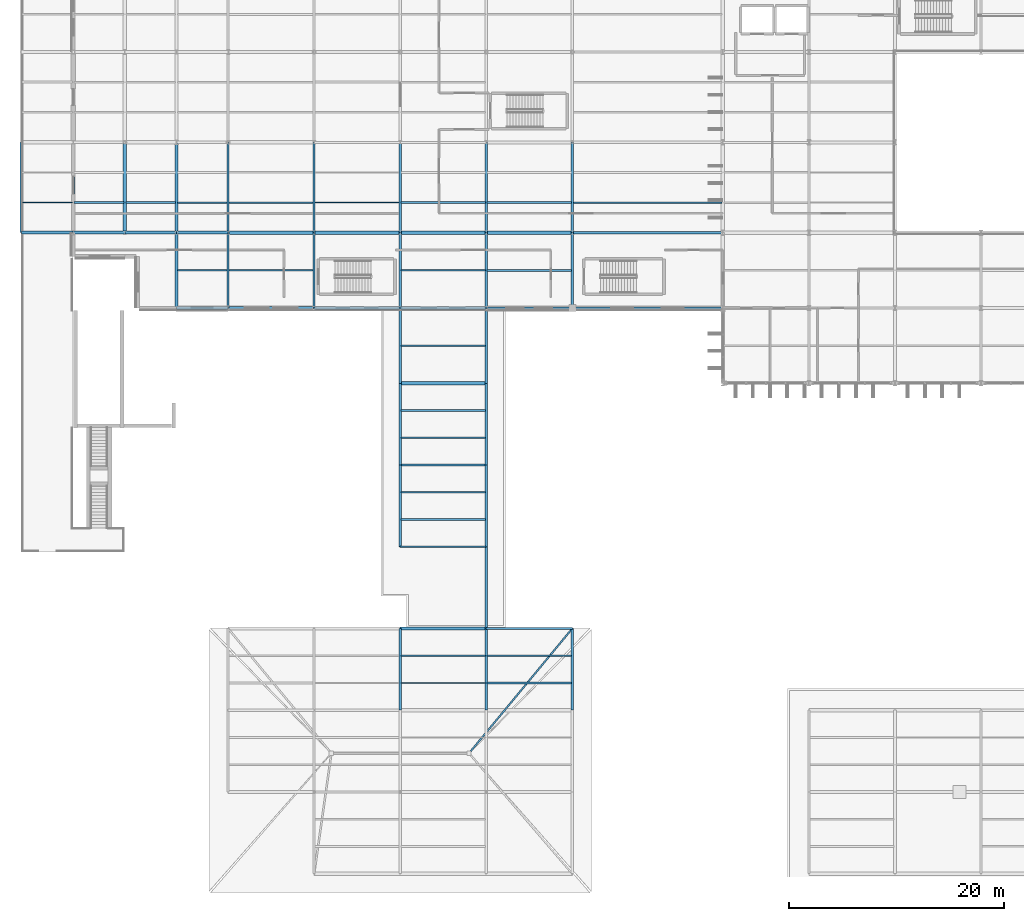
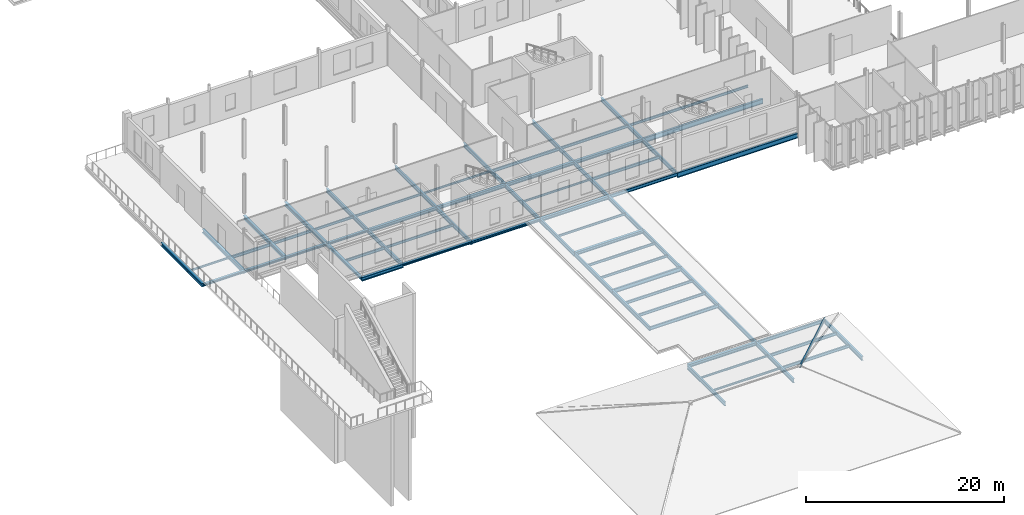
# One storey, part 20 of 120: 67 beams, 1 member.
"""IFC4 building model written with IfcOpenShell, lengths in metres."""

from ifc_helpers import new_model, si_unit, direction, frame, origin, origin_2d, place, context, subcontext, project, spatial, i_section, extrude, material, material_profile, profile_set, type_object, element, save


model = new_model("IFC4")

# Units and contexts
model_context = context("Model", 3, precision=1e-05, world=origin(), true_north=direction((0.0, 1.0)))
body_context = subcontext(model_context, "Body", "Model", "MODEL_VIEW")
ifc_project = project(units=[si_unit("LENGTHUNIT", "METRE"), si_unit("AREAUNIT", "SQUARE_METRE"), si_unit("VOLUMEUNIT", "CUBIC_METRE"), si_unit("PLANEANGLEUNIT", "RADIAN"), si_unit("MASSUNIT", "GRAM", prefix="KILO")], contexts=[model_context])

# Site, building, storey
site_placement = place(None, origin())
site = spatial("IfcSite", under=ifc_project, at=site_placement, CompositionType="ELEMENT")
building_placement = place(site_placement, origin())
building = spatial("IfcBuilding", under=site, at=building_placement, Name="Vekula Escarpment Museum", CompositionType="ELEMENT")
storey_placement = place(building_placement, frame((0.0, 0.0, 13.199951171875)))
storey = spatial("IfcBuildingStorey", under=building, at=storey_placement, Name="L03", CompositionType="ELEMENT", Elevation=13.199951171875)

# Beams
ifc_material_1 = material(Name="Steel S355", Category="steel")
ifc_material_profile_1 = material_profile(ifc_material_1, i_section(OverallWidth=0.280029296875, OverallDepth=0.280029296875, WebThickness=0.010498046875, FlangeThickness=0.01806640625, FilletRadius=0.02392578125, at=origin_2d()), Name="HEB 280")
ifc_profile_set_1 = profile_set([ifc_material_profile_1], Name="Steel S355")
beam_type_1 = type_object("IfcBeamType", Name="BM-GIRD-HEB280", PredefinedType="BEAM", material=ifc_profile_set_1)
beam_1_placement = place(storey_placement, frame((24.0, 52.60009765625, -0.389892578125), z_axis=(1.0, 0.0, 0.0), x_axis=(0.0, 1.0, 0.0)))
element("IfcBeam", 1, at=beam_1_placement, inside=storey, type_object=beam_type_1, Name="Beam X L03 1324", PredefinedType="BEAM", context=body_context, shape_type="SweptSolid", body=[
    extrude(i_section(OverallWidth=0.280029296875, OverallDepth=0.280029296875, WebThickness=0.010498046875, FlangeThickness=0.01806640625, FilletRadius=0.02392578125, at=origin_2d()), origin(), (0.0, 0.0, 1.0), 8.0),
])
ifc_material_2 = material(Name="Steel S355", Category="steel")
ifc_material_profile_2 = material_profile(ifc_material_2, i_section(OverallWidth=0.300048828125, OverallDepth=0.320068359375, WebThickness=0.011474609375, FlangeThickness=0.0205078125, FilletRadius=0.027099609375, at=origin_2d()), Name="HEB 320")
ifc_profile_set_2 = profile_set([ifc_material_profile_2], Name="Steel S355")
beam_type_2 = type_object("IfcBeamType", Name="BM-GIRD-HEB320", PredefinedType="BEAM", material=ifc_profile_set_2)
beam_2_placement = place(storey_placement, frame((32.0, 52.60009765625, -0.409912109375), z_axis=(1.0, 0.0, 0.0), x_axis=(0.0, 1.0, 0.0)))
element("IfcBeam", 2, at=beam_2_placement, inside=storey, type_object=beam_type_2, Name="Beam X L03 1325", PredefinedType="BEAM", context=body_context, shape_type="SweptSolid", body=[
    extrude(i_section(OverallWidth=0.300048828125, OverallDepth=0.320068359375, WebThickness=0.011474609375, FlangeThickness=0.0205078125, FilletRadius=0.027099609375, at=origin_2d()), origin(), (0.0, 0.0, 1.0), 8.0),
])
ifc_material_3 = material(Name="Steel S355", Category="steel")
ifc_material_profile_3 = material_profile(ifc_material_3, i_section(OverallWidth=0.300048828125, OverallDepth=0.39990234375, WebThickness=0.013427734375, FlangeThickness=0.02392578125, FilletRadius=0.027099609375, at=origin_2d()), Name="HEB 400")
ifc_profile_set_3 = profile_set([ifc_material_profile_3], Name="Steel S355")
beam_type_3 = type_object("IfcBeamType", Name="BM-GIRD-HEB400", PredefinedType="BEAM", material=ifc_profile_set_3)
for number, where, z_axis, x_axis, name in (
    (3, (40.0, 22.800048828125, -0.39990234375), (1.0, 0.0, 0.0), (0.0, 1.0, 0.0), "Beam X L03 1307"),
    (4, (40.0, 52.60009765625, -0.449951171875), (1.0, 0.0, 0.0), (0.0, 1.0, 0.0), "Beam X L03 1326"),
):
    element("IfcBeam", number, at=place(storey_placement, frame(where, z_axis=z_axis, x_axis=x_axis)), inside=storey, type_object=beam_type_3, Name=name, PredefinedType="BEAM", context=body_context, shape_type="SweptSolid", body=[
        extrude(i_section(OverallWidth=0.300048828125, OverallDepth=0.39990234375, WebThickness=0.013427734375, FlangeThickness=0.02392578125, FilletRadius=0.027099609375, at=origin_2d()), origin(), (0.0, 0.0, 1.0), 8.0),
    ])
ifc_material_4 = material(Name="Steel S355", Category="steel")
ifc_material_profile_4 = material_profile(ifc_material_4, i_section(OverallWidth=0.300048828125, OverallDepth=0.449951171875, WebThickness=0.013916015625, FlangeThickness=0.02587890625, FilletRadius=0.027099609375, at=origin_2d()), Name="HEB 450")
ifc_profile_set_4 = profile_set([ifc_material_profile_4], Name="Steel S355")
beam_type_4 = type_object("IfcBeamType", Name="BM-GIRD-HEB450", PredefinedType="BEAM", material=ifc_profile_set_4)
beam_3_placement = place(storey_placement, frame((19.199951171875, 52.60009765625, -0.474853515625), z_axis=(1.0, 0.0, 0.0), x_axis=(0.0, 1.0, 0.0)))
element("IfcBeam", 5, at=beam_3_placement, inside=storey, type_object=beam_type_4, Name="Beam X L03 1323", PredefinedType="BEAM", context=body_context, shape_type="SweptSolid", body=[
    extrude(i_section(OverallWidth=0.300048828125, OverallDepth=0.449951171875, WebThickness=0.013916015625, FlangeThickness=0.02587890625, FilletRadius=0.027099609375, at=origin_2d()), origin(), (0.0, 0.0, 1.0), 4.800048828125),
])
ifc_material_5 = material(Name="Steel S355", Category="steel")
ifc_material_profile_5 = material_profile(ifc_material_5, i_section(OverallWidth=0.179931640625, OverallDepth=0.39990234375, WebThickness=0.008544921875, FlangeThickness=0.013427734375, FilletRadius=0.02099609375, at=origin_2d()), Name="IPE 400")
ifc_profile_set_5 = profile_set([ifc_material_profile_5], Name="Steel S355")
beam_type_5 = type_object("IfcBeamType", Name="BM-GIRD-IPE400", PredefinedType="BEAM", material=ifc_profile_set_5)
for number, where, z_axis, x_axis, name in (
    (6, (48.0, 22.800048828125, -0.39990234375), (1.0, 0.0, 0.0), (0.0, 1.0, 0.0), "Beam X L03 1308"),
    (7, (40.0, 30.39990234375, -0.39990234375), (1.0, 0.0, 0.0), (0.0, 1.0, 0.0), "Beam X L03 1310"),
    (8, (48.0, 52.60009765625, -0.449951171875), (1.0, 0.0, 0.0), (0.0, 1.0, 0.0), "Beam X L03 1327"),
):
    element("IfcBeam", number, at=place(storey_placement, frame(where, z_axis=z_axis, x_axis=x_axis)), inside=storey, type_object=beam_type_5, Name=name, PredefinedType="BEAM", context=body_context, shape_type="SweptSolid", body=[
        extrude(i_section(OverallWidth=0.179931640625, OverallDepth=0.39990234375, WebThickness=0.008544921875, FlangeThickness=0.013427734375, FilletRadius=0.02099609375, at=origin_2d()), origin(), (0.0, 0.0, 1.0), 8.0),
    ])
ifc_material_6 = material(Name="Steel S355", Category="steel")
ifc_material_profile_6 = material_profile(ifc_material_6, i_section(OverallWidth=0.199951171875, OverallDepth=0.5, WebThickness=0.01025390625, FlangeThickness=0.01611328125, FilletRadius=0.02099609375, at=origin_2d()), Name="IPE 500")
ifc_profile_set_6 = profile_set([ifc_material_profile_6], Name="Steel S355")
beam_type_6 = type_object("IfcBeamType", Name="BM-GIRD-IPE500", PredefinedType="BEAM", material=ifc_profile_set_6)
beam_4_placement = place(storey_placement, frame((40.0, 38.0, -0.449951171875), z_axis=(1.0, 0.0, 0.0), x_axis=(0.0, 1.0, 0.0)))
element("IfcBeam", 9, at=beam_4_placement, inside=storey, type_object=beam_type_6, Name="Beam X L03 1312", PredefinedType="BEAM", context=body_context, shape_type="SweptSolid", body=[
    extrude(i_section(OverallWidth=0.199951171875, OverallDepth=0.5, WebThickness=0.01025390625, FlangeThickness=0.01611328125, FilletRadius=0.02099609375, at=origin_2d()), origin(), (0.0, 0.0, 1.0), 8.0),
])
beam_5_placement = place(storey_placement, frame((24.0, 52.60009765625, -0.5), z_axis=(0.0, 1.0, 0.0), x_axis=(-1.0, 0.0, 0.0)))
element("IfcBeam", 10, at=beam_5_placement, inside=storey, type_object=beam_type_6, Name="Beam Y L03 1495", PredefinedType="BEAM", context=body_context, shape_type="SweptSolid", body=[
    extrude(i_section(OverallWidth=0.199951171875, OverallDepth=0.5, WebThickness=0.01025390625, FlangeThickness=0.01611328125, FilletRadius=0.02099609375, at=origin_2d()), origin(), (0.0, 0.0, 1.0), 7.0),
])
beam_6_placement = place(storey_placement, frame((24.0, 59.60009765625, -0.5), z_axis=(0.0, 1.0, 0.0), x_axis=(-1.0, 0.0, 0.0)))
element("IfcBeam", 11, at=beam_6_placement, inside=storey, type_object=beam_type_6, Name="Beam Y L03 1496", PredefinedType="BEAM", context=body_context, shape_type="SweptSolid", body=[
    extrude(i_section(OverallWidth=0.199951171875, OverallDepth=0.5, WebThickness=0.01025390625, FlangeThickness=0.01611328125, FilletRadius=0.02099609375, at=origin_2d()), origin(), (0.0, 0.0, 1.0), 8.39990234375),
])
beam_7_placement = place(storey_placement, frame((32.0, 52.60009765625, -0.5), z_axis=(0.0, 1.0, 0.0), x_axis=(-1.0, 0.0, 0.0)))
element("IfcBeam", 12, at=beam_7_placement, inside=storey, type_object=beam_type_6, Name="Beam Y L03 1505", PredefinedType="BEAM", context=body_context, shape_type="SweptSolid", body=[
    extrude(i_section(OverallWidth=0.199951171875, OverallDepth=0.5, WebThickness=0.01025390625, FlangeThickness=0.01611328125, FilletRadius=0.02099609375, at=origin_2d()), origin(), (0.0, 0.0, 1.0), 7.0),
])
beam_8_placement = place(storey_placement, frame((32.0, 59.60009765625, -0.5), z_axis=(0.0, 1.0, 0.0), x_axis=(-1.0, 0.0, 0.0)))
element("IfcBeam", 13, at=beam_8_placement, inside=storey, type_object=beam_type_6, Name="Beam Y L03 1506", PredefinedType="BEAM", context=body_context, shape_type="SweptSolid", body=[
    extrude(i_section(OverallWidth=0.199951171875, OverallDepth=0.5, WebThickness=0.01025390625, FlangeThickness=0.01611328125, FilletRadius=0.02099609375, at=origin_2d()), origin(), (0.0, 0.0, 1.0), 8.39990234375),
])
for number, where, z_axis, x_axis, name in (
    (14, (40.0, 15.199951171875, -0.5), (0.0, 1.0, 0.0), (-1.0, 0.0, 0.0), "Beam Y L03 1514"),
    (15, (40.0, 30.39990234375, -0.449951171875), (0.0, 1.0, 0.0), (-1.0, 0.0, 0.0), "Beam Y L03 1515"),
    (16, (40.0, 38.0, -0.449951171875), (0.0, 1.0, 0.0), (-1.0, 0.0, 0.0), "Beam Y L03 1516"),
):
    element("IfcBeam", number, at=place(storey_placement, frame(where, z_axis=z_axis, x_axis=x_axis)), inside=storey, type_object=beam_type_6, Name=name, PredefinedType="BEAM", context=body_context, shape_type="SweptSolid", body=[
        extrude(i_section(OverallWidth=0.199951171875, OverallDepth=0.5, WebThickness=0.01025390625, FlangeThickness=0.01611328125, FilletRadius=0.02099609375, at=origin_2d()), origin(), (0.0, 0.0, 1.0), 7.60009765625),
    ])
for number, where, z_axis, x_axis, name in (
    (17, (40.0, 45.60009765625, -0.5), (0.0, 1.0, 0.0), (-1.0, 0.0, 0.0), "Beam Y L03 1517"),
    (18, (40.0, 52.60009765625, -0.5), (0.0, 1.0, 0.0), (-1.0, 0.0, 0.0), "Beam Y L03 1518"),
):
    element("IfcBeam", number, at=place(storey_placement, frame(where, z_axis=z_axis, x_axis=x_axis)), inside=storey, type_object=beam_type_6, Name=name, PredefinedType="BEAM", context=body_context, shape_type="SweptSolid", body=[
        extrude(i_section(OverallWidth=0.199951171875, OverallDepth=0.5, WebThickness=0.01025390625, FlangeThickness=0.01611328125, FilletRadius=0.02099609375, at=origin_2d()), origin(), (0.0, 0.0, 1.0), 7.0),
    ])
beam_9_placement = place(storey_placement, frame((40.0, 59.60009765625, -0.5), z_axis=(0.0, 1.0, 0.0), x_axis=(-1.0, 0.0, 0.0)))
element("IfcBeam", 19, at=beam_9_placement, inside=storey, type_object=beam_type_6, Name="Beam Y L03 1519", PredefinedType="BEAM", context=body_context, shape_type="SweptSolid", body=[
    extrude(i_section(OverallWidth=0.199951171875, OverallDepth=0.5, WebThickness=0.01025390625, FlangeThickness=0.01611328125, FilletRadius=0.02099609375, at=origin_2d()), origin(), (0.0, 0.0, 1.0), 8.39990234375),
])
beam_10_placement = place(storey_placement, frame((48.0, 15.199951171875, -0.449951171875), z_axis=(0.0, 1.0, 0.0), x_axis=(-1.0, 0.0, 0.0)))
element("IfcBeam", 20, at=beam_10_placement, inside=storey, type_object=beam_type_6, Name="Beam Y L03 1531", PredefinedType="BEAM", context=body_context, shape_type="SweptSolid", body=[
    extrude(i_section(OverallWidth=0.199951171875, OverallDepth=0.5, WebThickness=0.01025390625, FlangeThickness=0.01611328125, FilletRadius=0.02099609375, at=origin_2d()), origin(), (0.0, 0.0, 1.0), 7.60009765625),
])
beam_11_placement = place(storey_placement, frame((48.0, 22.800048828125, -0.449951171875), z_axis=(0.0, 1.0, 0.0), x_axis=(-1.0, 0.0, 0.0)))
element("IfcBeam", 21, at=beam_11_placement, inside=storey, type_object=beam_type_6, Name="Beam Y L03 1532", PredefinedType="BEAM", context=body_context, shape_type="SweptSolid", body=[
    extrude(i_section(OverallWidth=0.199951171875, OverallDepth=0.5, WebThickness=0.01025390625, FlangeThickness=0.01611328125, FilletRadius=0.02099609375, at=origin_2d()), origin(), (0.0, 0.0, 1.0), 7.599853515625),
])
for number, where, z_axis, x_axis, name in (
    (22, (48.0, 30.39990234375, -0.449951171875), (0.0, 1.0, 0.0), (-1.0, 0.0, 0.0), "Beam Y L03 1533"),
    (23, (48.0, 38.0, -0.449951171875), (0.0, 1.0, 0.0), (-1.0, 0.0, 0.0), "Beam Y L03 1534"),
):
    element("IfcBeam", number, at=place(storey_placement, frame(where, z_axis=z_axis, x_axis=x_axis)), inside=storey, type_object=beam_type_6, Name=name, PredefinedType="BEAM", context=body_context, shape_type="SweptSolid", body=[
        extrude(i_section(OverallWidth=0.199951171875, OverallDepth=0.5, WebThickness=0.01025390625, FlangeThickness=0.01611328125, FilletRadius=0.02099609375, at=origin_2d()), origin(), (0.0, 0.0, 1.0), 7.60009765625),
    ])
for number, where, z_axis, x_axis, name in (
    (24, (48.0, 45.60009765625, -0.5), (0.0, 1.0, 0.0), (-1.0, 0.0, 0.0), "Beam Y L03 1535"),
    (25, (48.0, 52.60009765625, -0.5), (0.0, 1.0, 0.0), (-1.0, 0.0, 0.0), "Beam Y L03 1536"),
):
    element("IfcBeam", number, at=place(storey_placement, frame(where, z_axis=z_axis, x_axis=x_axis)), inside=storey, type_object=beam_type_6, Name=name, PredefinedType="BEAM", context=body_context, shape_type="SweptSolid", body=[
        extrude(i_section(OverallWidth=0.199951171875, OverallDepth=0.5, WebThickness=0.01025390625, FlangeThickness=0.01611328125, FilletRadius=0.02099609375, at=origin_2d()), origin(), (0.0, 0.0, 1.0), 7.0),
    ])
beam_12_placement = place(storey_placement, frame((48.0, 59.60009765625, -0.5), z_axis=(0.0, 1.0, 0.0), x_axis=(-1.0, 0.0, 0.0)))
element("IfcBeam", 26, at=beam_12_placement, inside=storey, type_object=beam_type_6, Name="Beam Y L03 1537", PredefinedType="BEAM", context=body_context, shape_type="SweptSolid", body=[
    extrude(i_section(OverallWidth=0.199951171875, OverallDepth=0.5, WebThickness=0.01025390625, FlangeThickness=0.01611328125, FilletRadius=0.02099609375, at=origin_2d()), origin(), (0.0, 0.0, 1.0), 8.39990234375),
])
beam_13_placement = place(storey_placement, frame((56.0, 15.199951171875, -0.5), z_axis=(0.0, 1.0, 0.0), x_axis=(-1.0, 0.0, 0.0)))
element("IfcBeam", 27, at=beam_13_placement, inside=storey, type_object=beam_type_6, Name="Beam Y L03 1549", PredefinedType="BEAM", context=body_context, shape_type="SweptSolid", body=[
    extrude(i_section(OverallWidth=0.199951171875, OverallDepth=0.5, WebThickness=0.01025390625, FlangeThickness=0.01611328125, FilletRadius=0.02099609375, at=origin_2d()), origin(), (0.0, 0.0, 1.0), 7.60009765625),
])
beam_14_placement = place(storey_placement, frame((56.0, 52.60009765625, -0.5), z_axis=(0.0, 1.0, 0.0), x_axis=(-1.0, 0.0, 0.0)))
element("IfcBeam", 28, at=beam_14_placement, inside=storey, type_object=beam_type_6, Name="Beam Y L03 1550", PredefinedType="BEAM", context=body_context, shape_type="SweptSolid", body=[
    extrude(i_section(OverallWidth=0.199951171875, OverallDepth=0.5, WebThickness=0.01025390625, FlangeThickness=0.01611328125, FilletRadius=0.02099609375, at=origin_2d()), origin(), (0.0, 0.0, 1.0), 7.0),
])
beam_15_placement = place(storey_placement, frame((56.0, 59.60009765625, -0.5), z_axis=(0.0, 1.0, 0.0), x_axis=(-1.0, 0.0, 0.0)))
element("IfcBeam", 29, at=beam_15_placement, inside=storey, type_object=beam_type_6, Name="Beam Y L03 1551", PredefinedType="BEAM", context=body_context, shape_type="SweptSolid", body=[
    extrude(i_section(OverallWidth=0.199951171875, OverallDepth=0.5, WebThickness=0.01025390625, FlangeThickness=0.01611328125, FilletRadius=0.02099609375, at=origin_2d()), origin(), (0.0, 0.0, 1.0), 8.39990234375),
])
ifc_material_7 = material(Name="Steel S355", Category="steel")
ifc_material_profile_7 = material_profile(ifc_material_7, i_section(OverallWidth=0.219970703125, OverallDepth=0.60009765625, WebThickness=0.011962890625, FlangeThickness=0.01904296875, FilletRadius=0.02392578125, at=origin_2d()), Name="IPE 600")
ifc_profile_set_7 = profile_set([ifc_material_profile_7], Name="Steel S355")
beam_type_7 = type_object("IfcBeamType", Name="BM-GIRD-IPE600", PredefinedType="BEAM", material=ifc_profile_set_7)
for number, where, z_axis, x_axis, name in (
    (30, (56.0, 52.60009765625, -0.550048828125), (1.0, 0.0, 0.0), (0.0, 1.0, 0.0), "Beam X L03 1328"),
    (31, (56.0, 59.60009765625, -0.550048828125), (1.0, 0.0, 0.0), (0.0, 1.0, 0.0), "Beam X L03 1346"),
):
    element("IfcBeam", number, at=place(storey_placement, frame(where, z_axis=z_axis, x_axis=x_axis)), inside=storey, type_object=beam_type_7, Name=name, PredefinedType="BEAM", context=body_context, shape_type="SweptSolid", body=[
        extrude(i_section(OverallWidth=0.219970703125, OverallDepth=0.60009765625, WebThickness=0.011962890625, FlangeThickness=0.01904296875, FilletRadius=0.02392578125, at=origin_2d()), origin(), (0.0, 0.0, 1.0), 14.0),
    ])
ifc_material_8 = material(Name="Steel S355", Category="steel")
ifc_material_profile_8 = material_profile(ifc_material_8, i_section(OverallWidth=0.1201171875, OverallDepth=0.239990234375, WebThickness=0.006103515625, FlangeThickness=0.009765625, FilletRadius=0.014892578125, at=origin_2d()), Name="IPE 240")
ifc_profile_set_8 = profile_set([ifc_material_profile_8], Name="Steel S355")
beam_type_8 = type_object("IfcBeamType", Name="BM-JST-IPE240", PredefinedType="JOIST", material=ifc_profile_set_8)
beam_16_placement = place(storey_placement, frame((4.889892578125, 62.39990234375, -0.369873046875), z_axis=(1.0, 0.0, 0.0), x_axis=(0.0, 1.0, 0.0)))
element("IfcBeam", 32, at=beam_16_placement, inside=storey, type_object=beam_type_8, Name="Secondary Joist L03 0886", PredefinedType="JOIST", context=body_context, shape_type="SweptSolid", body=[
    extrude(i_section(OverallWidth=0.1201171875, OverallDepth=0.239990234375, WebThickness=0.006103515625, FlangeThickness=0.009765625, FilletRadius=0.014892578125, at=origin_2d()), origin(), (0.0, 0.0, 1.0), 4.6201171875),
])
for number, where, z_axis, x_axis, name in (
    (33, (32.090087890625, 62.39990234375, -0.369873046875), (1.0, 0.0, 0.0), (0.0, 1.0, 0.0), "Secondary Joist L03 0935"),
    (34, (40.090087890625, 17.7333984375, -0.369873046875), (1.0, 0.0, 0.0), (0.0, 1.0, 0.0), "Secondary Joist L03 0948"),
    (35, (40.090087890625, 20.2666015625, -0.369873046875), (1.0, 0.0, 0.0), (0.0, 1.0, 0.0), "Secondary Joist L03 0949"),
    (36, (40.090087890625, 56.10009765625, -0.369873046875), (1.0, 0.0, 0.0), (0.0, 1.0, 0.0), "Secondary Joist L03 0955"),
):
    element("IfcBeam", number, at=place(storey_placement, frame(where, z_axis=z_axis, x_axis=x_axis)), inside=storey, type_object=beam_type_8, Name=name, PredefinedType="JOIST", context=body_context, shape_type="SweptSolid", body=[
        extrude(i_section(OverallWidth=0.1201171875, OverallDepth=0.239990234375, WebThickness=0.006103515625, FlangeThickness=0.009765625, FilletRadius=0.014892578125, at=origin_2d()), origin(), (0.0, 0.0, 1.0), 7.81982421875),
    ])
ifc_material_9 = material(Name="Steel S355", Category="steel")
ifc_material_profile_9 = material_profile(ifc_material_9, i_section(OverallWidth=0.135009765625, OverallDepth=0.27001953125, WebThickness=0.006591796875, FlangeThickness=0.01025390625, FilletRadius=0.014892578125, at=origin_2d()), Name="IPE 270")
ifc_profile_set_9 = profile_set([ifc_material_profile_9], Name="Steel S355")
beam_type_9 = type_object("IfcBeamType", Name="BM-JST-IPE270", PredefinedType="JOIST", material=ifc_profile_set_9)
for number, where, z_axis, x_axis, name in (
    (37, (24.090087890625, 62.39990234375, -0.385009765625), (1.0, 0.0, 0.0), (0.0, 1.0, 0.0), "Secondary Joist L03 0920"),
    (38, (40.090087890625, 49.10009765625, -0.385009765625), (1.0, 0.0, 0.0), (0.0, 1.0, 0.0), "Secondary Joist L03 0954"),
):
    element("IfcBeam", number, at=place(storey_placement, frame(where, z_axis=z_axis, x_axis=x_axis)), inside=storey, type_object=beam_type_9, Name=name, PredefinedType="JOIST", context=body_context, shape_type="SweptSolid", body=[
        extrude(i_section(OverallWidth=0.135009765625, OverallDepth=0.27001953125, WebThickness=0.006591796875, FlangeThickness=0.01025390625, FilletRadius=0.014892578125, at=origin_2d()), origin(), (0.0, 0.0, 1.0), 7.81982421875),
    ])
ifc_material_10 = material(Name="Steel S355", Category="steel")
ifc_material_profile_10 = material_profile(ifc_material_10, i_section(OverallWidth=0.14990234375, OverallDepth=0.300048828125, WebThickness=0.007080078125, FlangeThickness=0.0107421875, FilletRadius=0.014892578125, at=origin_2d()), Name="IPE 300")
ifc_profile_set_10 = profile_set([ifc_material_profile_10], Name="Steel S355")
beam_type_10 = type_object("IfcBeamType", Name="BM-JST-IPE300", PredefinedType="JOIST", material=ifc_profile_set_10)
beam_17_placement = place(storey_placement, frame((19.2900390625, 62.39990234375, -0.39990234375), z_axis=(1.0, 0.0, 0.0), x_axis=(0.0, 1.0, 0.0)))
element("IfcBeam", 39, at=beam_17_placement, inside=storey, type_object=beam_type_10, Name="Secondary Joist L03 0906", PredefinedType="JOIST", context=body_context, shape_type="SweptSolid", body=[
    extrude(i_section(OverallWidth=0.14990234375, OverallDepth=0.300048828125, WebThickness=0.007080078125, FlangeThickness=0.0107421875, FilletRadius=0.014892578125, at=origin_2d()), origin(), (0.0, 0.0, 1.0), 4.619873046875),
])
for number, where, z_axis, x_axis, name in (
    (40, (24.090087890625, 56.10009765625, -0.39990234375), (1.0, 0.0, 0.0), (0.0, 1.0, 0.0), "Secondary Joist L03 0919"),
    (41, (40.090087890625, 40.533203125, -0.349853515625), (1.0, 0.0, 0.0), (0.0, 1.0, 0.0), "Secondary Joist L03 0952"),
    (42, (40.090087890625, 43.066650390625, -0.349853515625), (1.0, 0.0, 0.0), (0.0, 1.0, 0.0), "Secondary Joist L03 0953"),
):
    element("IfcBeam", number, at=place(storey_placement, frame(where, z_axis=z_axis, x_axis=x_axis)), inside=storey, type_object=beam_type_10, Name=name, PredefinedType="JOIST", context=body_context, shape_type="SweptSolid", body=[
        extrude(i_section(OverallWidth=0.14990234375, OverallDepth=0.300048828125, WebThickness=0.007080078125, FlangeThickness=0.0107421875, FilletRadius=0.014892578125, at=origin_2d()), origin(), (0.0, 0.0, 1.0), 7.81982421875),
    ])
beam_18_placement = place(storey_placement, frame((56.090087890625, 62.39990234375, -0.39990234375), z_axis=(1.0, 0.0, 0.0), x_axis=(0.0, 1.0, 0.0)))
element("IfcBeam", 43, at=beam_18_placement, inside=storey, type_object=beam_type_10, Name="Secondary Joist L03 0986", PredefinedType="JOIST", context=body_context, shape_type="SweptSolid", body=[
    extrude(i_section(OverallWidth=0.14990234375, OverallDepth=0.300048828125, WebThickness=0.007080078125, FlangeThickness=0.0107421875, FilletRadius=0.014892578125, at=origin_2d()), origin(), (0.0, 0.0, 1.0), 13.81982421875),
])
ifc_material_11 = material(Name="Steel S355", Category="steel")
ifc_material_profile_11 = material_profile(ifc_material_11, i_section(OverallWidth=0.159912109375, OverallDepth=0.330078125, WebThickness=0.007568359375, FlangeThickness=0.011474609375, FilletRadius=0.01806640625, at=origin_2d()), Name="IPE 330")
ifc_profile_set_11 = profile_set([ifc_material_profile_11], Name="Steel S355")
beam_type_11 = type_object("IfcBeamType", Name="BM-JST-IPE330", PredefinedType="JOIST", material=ifc_profile_set_11)
beam_19_placement = place(storey_placement, frame((14.489990234375, 62.39990234375, -0.4150390625), z_axis=(1.0, 0.0, 0.0), x_axis=(0.0, 1.0, 0.0)))
element("IfcBeam", 44, at=beam_19_placement, inside=storey, type_object=beam_type_11, Name="Secondary Joist L03 0896", PredefinedType="JOIST", context=body_context, shape_type="SweptSolid", body=[
    extrude(i_section(OverallWidth=0.159912109375, OverallDepth=0.330078125, WebThickness=0.007568359375, FlangeThickness=0.011474609375, FilletRadius=0.01806640625, at=origin_2d()), origin(), (0.0, 0.0, 1.0), 4.6201171875),
])
beam_20_placement = place(storey_placement, frame((19.2900390625, 56.10009765625, -0.4150390625), z_axis=(1.0, 0.0, 0.0), x_axis=(0.0, 1.0, 0.0)))
element("IfcBeam", 45, at=beam_20_placement, inside=storey, type_object=beam_type_11, Name="Secondary Joist L03 0905", PredefinedType="JOIST", context=body_context, shape_type="SweptSolid", body=[
    extrude(i_section(OverallWidth=0.159912109375, OverallDepth=0.330078125, WebThickness=0.007568359375, FlangeThickness=0.011474609375, FilletRadius=0.01806640625, at=origin_2d()), origin(), (0.0, 0.0, 1.0), 4.619873046875),
])
for number, where, z_axis, x_axis, name in (
    (46, (40.090087890625, 32.933349609375, -0.364990234375), (1.0, 0.0, 0.0), (0.0, 1.0, 0.0), "Secondary Joist L03 0950"),
    (47, (40.090087890625, 35.466796875, -0.364990234375), (1.0, 0.0, 0.0), (0.0, 1.0, 0.0), "Secondary Joist L03 0951"),
    (48, (48.090087890625, 62.39990234375, -0.4150390625), (1.0, 0.0, 0.0), (0.0, 1.0, 0.0), "Secondary Joist L03 0979"),
):
    element("IfcBeam", number, at=place(storey_placement, frame(where, z_axis=z_axis, x_axis=x_axis)), inside=storey, type_object=beam_type_11, Name=name, PredefinedType="JOIST", context=body_context, shape_type="SweptSolid", body=[
        extrude(i_section(OverallWidth=0.159912109375, OverallDepth=0.330078125, WebThickness=0.007568359375, FlangeThickness=0.011474609375, FilletRadius=0.01806640625, at=origin_2d()), origin(), (0.0, 0.0, 1.0), 7.81982421875),
    ])
ifc_material_12 = material(Name="Steel S355", Category="steel")
ifc_material_profile_12 = material_profile(ifc_material_12, i_section(OverallWidth=0.169921875, OverallDepth=0.360107421875, WebThickness=0.008056640625, FlangeThickness=0.0126953125, FilletRadius=0.01806640625, at=origin_2d()), Name="IPE 360")
ifc_profile_set_12 = profile_set([ifc_material_profile_12], Name="Steel S355")
beam_type_12 = type_object("IfcBeamType", Name="BM-JST-IPE360", PredefinedType="JOIST", material=ifc_profile_set_12)
beam_21_placement = place(storey_placement, frame((9.68994140625, 62.39990234375, -0.429931640625), z_axis=(1.0, 0.0, 0.0), x_axis=(0.0, 1.0, 0.0)))
element("IfcBeam", 49, at=beam_21_placement, inside=storey, type_object=beam_type_12, Name="Secondary Joist L03 0891", PredefinedType="JOIST", context=body_context, shape_type="SweptSolid", body=[
    extrude(i_section(OverallWidth=0.169921875, OverallDepth=0.360107421875, WebThickness=0.008056640625, FlangeThickness=0.0126953125, FilletRadius=0.01806640625, at=origin_2d()), origin(), (0.0, 0.0, 1.0), 4.6201171875),
])
for number, where, z_axis, x_axis, name in (
    (50, (40.090087890625, 62.39990234375, -0.429931640625), (1.0, 0.0, 0.0), (0.0, 1.0, 0.0), "Secondary Joist L03 0956"),
    (51, (48.090087890625, 17.7333984375, -0.429931640625), (1.0, 0.0, 0.0), (0.0, 1.0, 0.0), "Secondary Joist L03 0976"),
    (52, (48.090087890625, 20.2666015625, -0.429931640625), (1.0, 0.0, 0.0), (0.0, 1.0, 0.0), "Secondary Joist L03 0977"),
    (53, (48.090087890625, 56.10009765625, -0.429931640625), (1.0, 0.0, 0.0), (0.0, 1.0, 0.0), "Secondary Joist L03 0978"),
):
    element("IfcBeam", number, at=place(storey_placement, frame(where, z_axis=z_axis, x_axis=x_axis)), inside=storey, type_object=beam_type_12, Name=name, PredefinedType="JOIST", context=body_context, shape_type="SweptSolid", body=[
        extrude(i_section(OverallWidth=0.169921875, OverallDepth=0.360107421875, WebThickness=0.008056640625, FlangeThickness=0.0126953125, FilletRadius=0.01806640625, at=origin_2d()), origin(), (0.0, 0.0, 1.0), 7.81982421875),
    ])
ifc_material_13 = material(Name="Steel S355", Category="steel")
ifc_material_profile_13 = material_profile(ifc_material_13, i_section(OverallWidth=0.280029296875, OverallDepth=0.27001953125, WebThickness=0.008056640625, FlangeThickness=0.012939453125, FilletRadius=0.02392578125, at=origin_2d()), Name="HEA 280")
ifc_profile_set_13 = profile_set([ifc_material_profile_13], Name="Steel S355")
beam_type_13 = type_object("IfcBeamType", Name="BM-SPAN-HEA280", PredefinedType="SPANDREL", material=ifc_profile_set_13)
beam_22_placement = place(storey_placement, frame((4.800048828125, 59.60009765625, -0.385009765625), z_axis=(1.0, 0.0, 0.0), x_axis=(0.0, 1.0, 0.0)))
element("IfcBeam", 54, at=beam_22_placement, inside=storey, type_object=beam_type_13, Name="Beam X L03 1338", PredefinedType="SPANDREL", context=body_context, shape_type="SweptSolid", body=[
    extrude(i_section(OverallWidth=0.280029296875, OverallDepth=0.27001953125, WebThickness=0.008056640625, FlangeThickness=0.012939453125, FilletRadius=0.02392578125, at=origin_2d()), origin(), (0.0, 0.0, 1.0), 4.800048828125),
])
beam_23_placement = place(storey_placement, frame((9.60009765625, 59.60009765625, -0.385009765625), z_axis=(1.0, 0.0, 0.0), x_axis=(0.0, 1.0, 0.0)))
element("IfcBeam", 55, at=beam_23_placement, inside=storey, type_object=beam_type_13, Name="Beam X L03 1339", PredefinedType="SPANDREL", context=body_context, shape_type="SweptSolid", body=[
    extrude(i_section(OverallWidth=0.280029296875, OverallDepth=0.27001953125, WebThickness=0.008056640625, FlangeThickness=0.012939453125, FilletRadius=0.02392578125, at=origin_2d()), origin(), (0.0, 0.0, 1.0), 4.7998046875),
])
for number, where, z_axis, x_axis, name in (
    (56, (14.39990234375, 59.60009765625, -0.385009765625), (1.0, 0.0, 0.0), (0.0, 1.0, 0.0), "Beam X L03 1340"),
    (57, (19.199951171875, 59.60009765625, -0.385009765625), (1.0, 0.0, 0.0), (0.0, 1.0, 0.0), "Beam X L03 1341"),
):
    element("IfcBeam", number, at=place(storey_placement, frame(where, z_axis=z_axis, x_axis=x_axis)), inside=storey, type_object=beam_type_13, Name=name, PredefinedType="SPANDREL", context=body_context, shape_type="SweptSolid", body=[
        extrude(i_section(OverallWidth=0.280029296875, OverallDepth=0.27001953125, WebThickness=0.008056640625, FlangeThickness=0.012939453125, FilletRadius=0.02392578125, at=origin_2d()), origin(), (0.0, 0.0, 1.0), 4.800048828125),
    ])
ifc_material_14 = material(Name="Steel S355", Category="steel")
ifc_material_profile_14 = material_profile(ifc_material_14, i_section(OverallWidth=0.300048828125, OverallDepth=0.2900390625, WebThickness=0.008544921875, FlangeThickness=0.013916015625, FilletRadius=0.027099609375, at=origin_2d()), Name="HEA 300")
ifc_profile_set_14 = profile_set([ifc_material_profile_14], Name="Steel S355")
beam_type_14 = type_object("IfcBeamType", Name="BM-SPAN-HEA300", PredefinedType="SPANDREL", material=ifc_profile_set_14)
beam_24_placement = place(storey_placement, frame((19.199951171875, 52.60009765625, -0.39501953125), z_axis=(0.0, 1.0, 0.0), x_axis=(-1.0, 0.0, 0.0)))
element("IfcBeam", 58, at=beam_24_placement, inside=storey, type_object=beam_type_14, Name="Beam Y L03 1487", PredefinedType="SPANDREL", context=body_context, shape_type="SweptSolid", body=[
    extrude(i_section(OverallWidth=0.300048828125, OverallDepth=0.2900390625, WebThickness=0.008544921875, FlangeThickness=0.013916015625, FilletRadius=0.027099609375, at=origin_2d()), origin(), (0.0, 0.0, 1.0), 7.0),
])
ifc_material_15 = material(Name="Steel S355", Category="steel")
ifc_material_profile_15 = material_profile(ifc_material_15, i_section(OverallWidth=0.300048828125, OverallDepth=0.389892578125, WebThickness=0.010986328125, FlangeThickness=0.01904296875, FilletRadius=0.027099609375, at=origin_2d()), Name="HEA 400")
ifc_profile_set_15 = profile_set([ifc_material_profile_15], Name="Steel S355")
beam_type_15 = type_object("IfcBeamType", Name="BM-SPAN-HEA400", PredefinedType="SPANDREL", material=ifc_profile_set_15)
for number, where, z_axis, x_axis, name in (
    (59, (40.0, 45.60009765625, -0.39501953125), (1.0, 0.0, 0.0), (0.0, 1.0, 0.0), "Beam X L03 1314"),
    (60, (24.0, 59.60009765625, -0.445068359375), (1.0, 0.0, 0.0), (0.0, 1.0, 0.0), "Beam X L03 1342"),
    (61, (32.0, 59.60009765625, -0.445068359375), (1.0, 0.0, 0.0), (0.0, 1.0, 0.0), "Beam X L03 1343"),
    (62, (40.0, 59.60009765625, -0.445068359375), (1.0, 0.0, 0.0), (0.0, 1.0, 0.0), "Beam X L03 1344"),
    (63, (48.0, 59.60009765625, -0.445068359375), (1.0, 0.0, 0.0), (0.0, 1.0, 0.0), "Beam X L03 1345"),
):
    element("IfcBeam", number, at=place(storey_placement, frame(where, z_axis=z_axis, x_axis=x_axis)), inside=storey, type_object=beam_type_15, Name=name, PredefinedType="SPANDREL", context=body_context, shape_type="SweptSolid", body=[
        extrude(i_section(OverallWidth=0.300048828125, OverallDepth=0.389892578125, WebThickness=0.010986328125, FlangeThickness=0.01904296875, FilletRadius=0.027099609375, at=origin_2d()), origin(), (0.0, 0.0, 1.0), 8.0),
    ])
ifc_material_16 = material(Name="Steel S355", Category="steel")
ifc_material_profile_16 = material_profile(ifc_material_16, i_section(OverallWidth=0.300048828125, OverallDepth=0.43994140625, WebThickness=0.011474609375, FlangeThickness=0.02099609375, FilletRadius=0.027099609375, at=origin_2d()), Name="HEA 450")
ifc_profile_set_16 = profile_set([ifc_material_profile_16], Name="Steel S355")
beam_type_16 = type_object("IfcBeamType", Name="BM-SPAN-HEA450", PredefinedType="SPANDREL", material=ifc_profile_set_16)
for number, where, z_axis, x_axis, name in (
    (64, (4.800048828125, 59.60009765625, -0.43994140625), (0.0, 1.0, 0.0), (-1.0, 0.0, 0.0), "Beam Y L03 1476"),
    (65, (9.60009765625, 59.60009765625, -0.469970703125), (0.0, 1.0, 0.0), (-1.0, 0.0, 0.0), "Beam Y L03 1479"),
    (66, (14.39990234375, 59.60009765625, -0.469970703125), (0.0, 1.0, 0.0), (-1.0, 0.0, 0.0), "Beam Y L03 1482"),
    (67, (19.199951171875, 59.60009765625, -0.469970703125), (0.0, 1.0, 0.0), (-1.0, 0.0, 0.0), "Beam Y L03 1488"),
):
    element("IfcBeam", number, at=place(storey_placement, frame(where, z_axis=z_axis, x_axis=x_axis)), inside=storey, type_object=beam_type_16, Name=name, PredefinedType="SPANDREL", context=body_context, shape_type="SweptSolid", body=[
        extrude(i_section(OverallWidth=0.300048828125, OverallDepth=0.43994140625, WebThickness=0.011474609375, FlangeThickness=0.02099609375, FilletRadius=0.027099609375, at=origin_2d()), origin(), (0.0, 0.0, 1.0), 8.39990234375),
    ])

# Member
ifc_material_17 = material(Name="Steel S355", Category="steel")
ifc_material_profile_17 = material_profile(ifc_material_17, i_section(OverallWidth=0.14990234375, OverallDepth=0.300048828125, WebThickness=0.007080078125, FlangeThickness=0.0107421875, FilletRadius=0.014892578125, at=origin_2d()), Name="IPE 300")
ifc_profile_set_17 = profile_set([ifc_material_profile_17], Name="Steel S355")
member_type = type_object("IfcMemberType", Name="MB-HIP-RAFTER", PredefinedType="CHORD", material=ifc_profile_set_17)
member_placement = place(storey_placement, frame((56.0, 22.800048828125, -0.14990234375), z_axis=(-0.611646855123, -0.739071987038, 0.282242311841), x_axis=(0.770393771884, -0.6375683777, 0.0)))
element("IfcMember", 68, at=member_placement, inside=storey, type_object=member_type, Name="Auditorium Hip Rafter 4", PredefinedType="CHORD", context=body_context, shape_type="SweptSolid", body=[
    extrude(i_section(OverallWidth=0.14990234375, OverallDepth=0.300048828125, WebThickness=0.007080078125, FlangeThickness=0.0107421875, FilletRadius=0.014892578125, at=origin_2d()), origin(), (0.0, 0.0, 1.0), 15.695556640625),
])

save(model, "model.ifc")
